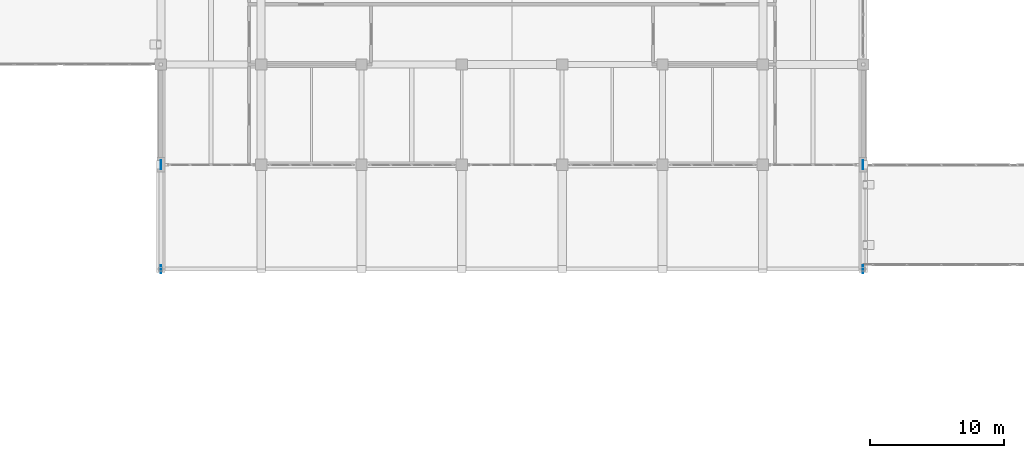
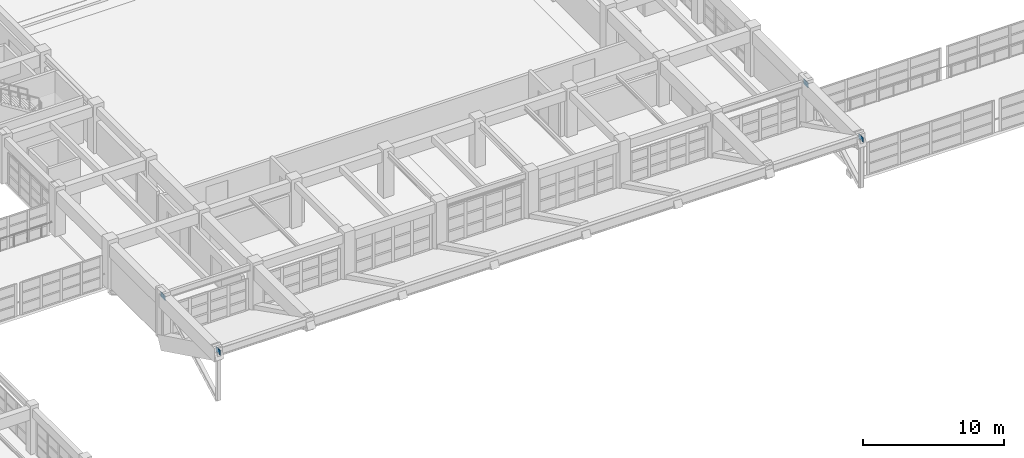
# One storey, part 93 of 132: 4 plates.
"""IFC4 building model written with IfcOpenShell, lengths in metres."""

from ifc_helpers import new_model, si_unit, direction, frame, origin, origin_2d, place, context, subcontext, project, spatial, rectangle, extrude, material, layer, layer_set, type_object, element, save


model = new_model("IFC4")

# Units and contexts
model_context = context("Model", 3, precision=1e-05, world=origin(), true_north=direction((0.0, 1.0)))
body_context = subcontext(model_context, "Body", "Model", "MODEL_VIEW")
ifc_project = project(units=[si_unit("LENGTHUNIT", "METRE"), si_unit("AREAUNIT", "SQUARE_METRE"), si_unit("VOLUMEUNIT", "CUBIC_METRE"), si_unit("PLANEANGLEUNIT", "RADIAN"), si_unit("MASSUNIT", "GRAM", prefix="KILO")], contexts=[model_context])

# Site, building, storey
site_placement = place(None, origin())
site = spatial("IfcSite", under=ifc_project, at=site_placement, CompositionType="ELEMENT")
building_placement = place(site_placement, origin())
building = spatial("IfcBuilding", under=site, at=building_placement, Name="Qasida Concert Hall", CompositionType="ELEMENT")
storey_placement = place(building_placement, frame((0.0, 0.0, 4.800048828125)))
storey = spatial("IfcBuildingStorey", under=building, at=storey_placement, Name="L01", CompositionType="ELEMENT", Elevation=4.800048828125)

# Plates
ifc_material = material(Name="Steel S355J2", Category="steel")
ifc_layer_1 = layer(ifc_material, 0.035888671875, Name="Steel S355J2")
ifc_layer_set_1 = layer_set([ifc_layer_1], Name="Steel S355J2")
plate_type_1 = type_object("IfcPlateType", Name="PLT-PL-KN1", PredefinedType="USERDEFINED", material=ifc_layer_set_1)
for number, where, z_axis, x_axis, name in (
    (1, (52.5, 14.699951171875, 3.39990234375), (0.0, 0.0, 1.0), (1.0, 0.0, 0.0), "Wall truss node plate KN-0001"),
    (2, (105.0, 14.699951171875, 3.39990234375), (0.0, 0.0, 1.0), (1.0, 0.0, 0.0), "Wall truss node plate KN-0011"),
):
    element("IfcPlate", number, at=place(storey_placement, frame(where, z_axis=z_axis, x_axis=x_axis)), inside=storey, type_object=plate_type_1, Name=name, ObjectType="GUSSET_PLATE", PredefinedType="USERDEFINED", context=body_context, shape_type="SweptSolid", body=[
        extrude(rectangle(XDim=0.035888671875, YDim=0.60009765625, at=origin_2d()), origin(), (0.0, 0.0, 1.0), 0.39990234375),
    ])
ifc_layer_2 = layer(ifc_material, 0.0380859375, Name="Steel S355J2")
ifc_layer_set_2 = layer_set([ifc_layer_2], Name="Steel S355J2")
plate_type_2 = type_object("IfcPlateType", Name="PLT-PL-KN5", PredefinedType="USERDEFINED", material=ifc_layer_set_2)
for number, where, z_axis, x_axis, name in (
    (3, (52.5, 22.5, 3.3798828125), (0.0, 0.0, 1.0), (1.0, 0.0, 0.0), "Wall truss node plate KN-0002"),
    (4, (105.0, 22.5, 3.3798828125), (0.0, 0.0, 1.0), (1.0, 0.0, 0.0), "Wall truss node plate KN-0012"),
):
    element("IfcPlate", number, at=place(storey_placement, frame(where, z_axis=z_axis, x_axis=x_axis)), inside=storey, type_object=plate_type_2, Name=name, ObjectType="GUSSET_PLATE", PredefinedType="USERDEFINED", context=body_context, shape_type="SweptSolid", body=[
        extrude(rectangle(XDim=0.0380859375, YDim=0.659912109375, at=origin_2d()), origin(), (0.0, 0.0, 1.0), 0.43994140625),
    ])

save(model, "model.ifc")
